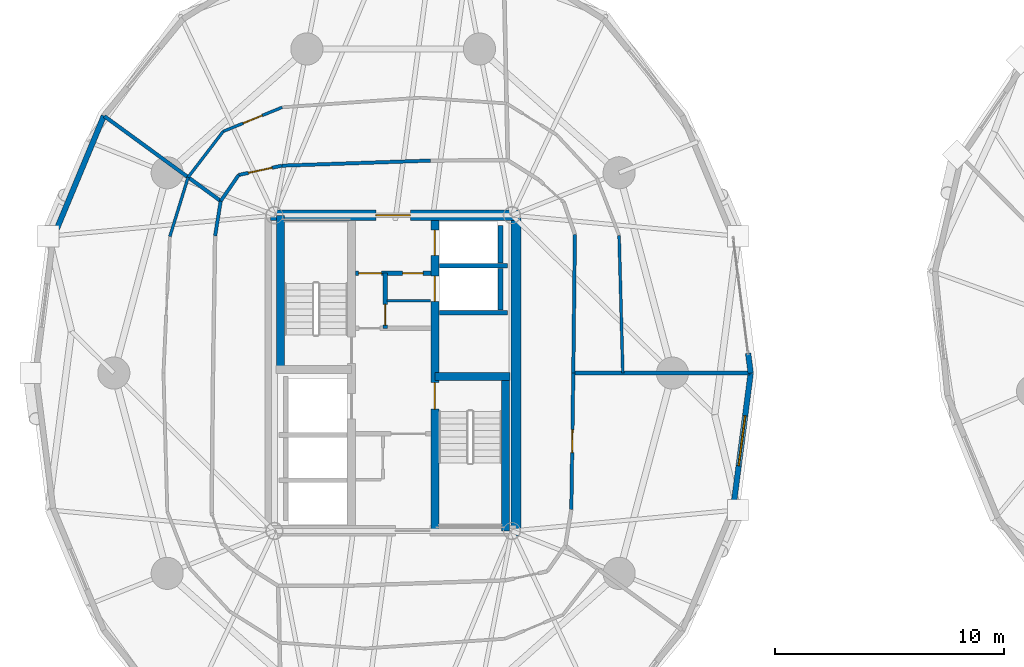
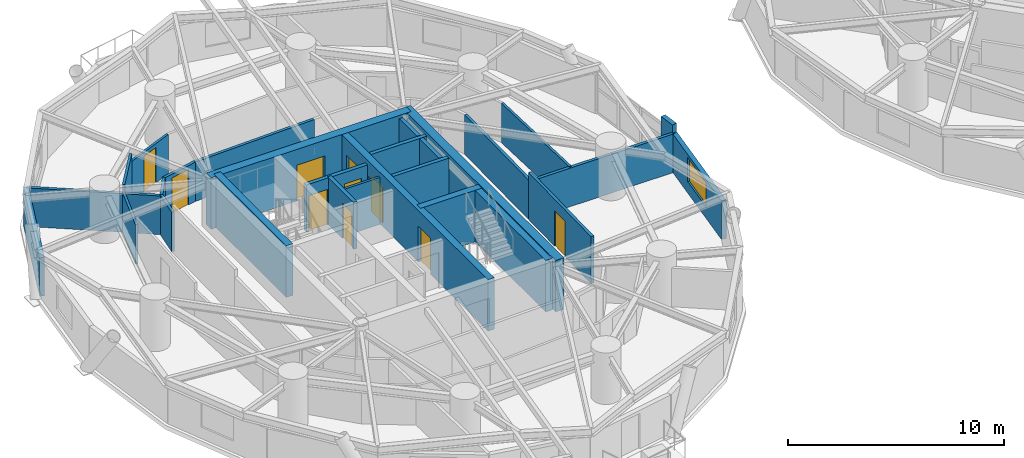
# One storey, part 11 of 18: 28 walls, 10 doors, 1 window, 11 openings.
"""IFC4 building model written with IfcOpenShell, lengths in metres."""

from ifc_helpers import new_model, si_unit, direction, frame, frame_2d, origin, place, context, subcontext, project, spatial, rectangle, extrude, source, transform, mapped, material, layer, layer_set, type_object, element, fill, save


model = new_model("IFC4")

# Units and contexts
model_context = context("Model", 3, precision=1e-05, world=origin(), true_north=direction((0.0, 1.0)))
body_context = subcontext(model_context, "Body", "Model", "MODEL_VIEW")
ifc_project = project(units=[si_unit("LENGTHUNIT", "METRE"), si_unit("AREAUNIT", "SQUARE_METRE"), si_unit("VOLUMEUNIT", "CUBIC_METRE"), si_unit("PLANEANGLEUNIT", "RADIAN"), si_unit("MASSUNIT", "GRAM", prefix="KILO")], contexts=[model_context])

# Site, building, storey
site_placement = place(None, origin())
site = spatial("IfcSite", under=ifc_project, at=site_placement, CompositionType="ELEMENT")
building_placement = place(site_placement, origin())
building = spatial("IfcBuilding", under=site, at=building_placement, Name="Cununo Teusaquillo Station Towers", CompositionType="ELEMENT")
storey_placement = place(building_placement, frame((0.0, 0.0, 93.429931640625)))
storey = spatial("IfcBuildingStorey", under=building, at=storey_placement, Name="L29", CompositionType="ELEMENT", Elevation=93.429931640625)

# Walls
ifc_material_1 = material(Name="Concrete C50/60", Category="concrete")
ifc_layer_1 = layer(ifc_material_1, 0.199951171875)
ifc_layer_set_1 = layer_set([ifc_layer_1], Name="Concrete C50/60")
wall_type_1 = type_object("IfcWallType", Name="WL-CORE-200", PredefinedType="SHEAR", material=ifc_layer_set_1)
for number, where, z_axis, x_axis, name in (
    (1, (18.510009765625, 27.1298828125, 0.0), (0.0, 0.0, 1.0), (1.0, 0.0, 0.0), "L29 Tower A Low-Rise Lift Hoistway South Shear Wall"),
    (2, (18.510009765625, 29.175048828125, 0.0), (0.0, 0.0, 1.0), (1.0, 0.0, 0.0), "L29 Tower A Low-Rise Lift Hoistway Divider Shear Wall"),
):
    element("IfcWall", number, at=place(storey_placement, frame(where, z_axis=z_axis, x_axis=x_axis)), inside=storey, type_object=wall_type_1, Name=name, PredefinedType="SHEAR", context=body_context, shape_type="SweptSolid", body=[
        extrude(rectangle(XDim=2.969970703125, YDim=0.199951171875, at=frame_2d((1.48486328125, 0.0))), origin(), (0.0, 0.0, 1.0), 2.91015625),
    ])
wall_1_placement = place(storey_placement, frame((21.179931640625, 27.25, 0.0), z_axis=(0.0, 0.0, 1.0), x_axis=(0.0, 1.0, 0.0)))
element("IfcWall", 3, at=wall_1_placement, inside=storey, type_object=wall_type_1, Name="L29 Tower A Low-Rise Lift 1 Shaft Rear Shear Wall", PredefinedType="SHEAR", context=body_context, shape_type="SweptSolid", body=[
    extrude(rectangle(XDim=1.804931640625, YDim=0.199951171875, at=frame_2d((0.90234375, 0.0))), origin(), (0.0, 0.0, 1.0), 2.91015625),
])
wall_2_placement = place(storey_placement, frame((21.179931640625, 29.294921875, 0.0), z_axis=(0.0, 0.0, 1.0), x_axis=(0.0, 1.0, 0.0)))
element("IfcWall", 4, at=wall_2_placement, inside=storey, type_object=wall_type_1, Name="L29 Tower A Low-Rise Lift 2 Shaft Rear Shear Wall", PredefinedType="SHEAR", context=body_context, shape_type="SweptSolid", body=[
    extrude(rectangle(XDim=1.635009765625, YDim=0.199951171875, at=frame_2d((0.8173828125, 0.0))), origin(), (0.0, 0.0, 1.0), 2.91015625),
])

# Wall, openings, doors
ifc_material_2 = material(Name="Concrete C50/60", Category="concrete")
ifc_layer_2 = layer(ifc_material_2, 0.35009765625)
ifc_layer_set_2 = layer_set([ifc_layer_2], Name="Concrete C50/60")
wall_type_2 = type_object("IfcWallType", Name="WL-CORE-350", PredefinedType="SHEAR", material=ifc_layer_set_2)
wall_3_placement = place(storey_placement, frame((18.31494140625, 17.625, 0.0), z_axis=(0.0, 0.0, 1.0), x_axis=(0.0, 1.0, 0.0)))
wall_3 = element("IfcWall", 5, at=wall_3_placement, inside=storey, type_object=wall_type_2, Name="L29 Tower A Core Shear Wall IE", PredefinedType="SHEAR", context=body_context, shape_type="SweptSolid", body=[
    extrude(rectangle(XDim=13.75, YDim=0.35009765625, at=frame_2d((6.875, 0.0))), origin(), (0.0, 0.0, 1.0), 2.91015625),
])
shared_shape_1 = source(origin(), body_context, "Body", "SweptSolid", [
    extrude(rectangle(XDim=1.10009765625, YDim=2.014892578125, at=frame_2d((0.550048828125, 1.00732421875))), frame((0.0, 0.18505859375, 0.0), z_axis=(0.0, -1.0, 0.0), x_axis=(1.0, 0.0, 0.0)), (0.0, 0.0, 1.0), 0.3701171875),
])
opening_1_placement = place(wall_3_placement, frame((10.0, 0.0, 0.0)))
opening_1 = element("IfcOpeningElement", 6, at=opening_1_placement, cuts=wall_3, Name="Opening LD-01", PredefinedType="OPENING", context=body_context, shape_type="MappedRepresentation", body=[
    mapped(shared_shape_1, transform((0.0, 0.0, 0.0), x_axis=(1.0, 0.0, 0.0), y_axis=(0.0, 1.0, 0.0), z_axis=(0.0, 0.0, 1.0), scale=1.0)),
])
opening_2_placement = place(wall_3_placement, frame((12.0, 0.0, 0.0)))
opening_2 = element("IfcOpeningElement", 7, at=opening_2_placement, cuts=wall_3, Name="Opening LD-01", PredefinedType="OPENING", context=body_context, shape_type="MappedRepresentation", body=[
    mapped(shared_shape_1, transform((0.0, 0.0, 0.0), x_axis=(1.0, 0.0, 0.0), y_axis=(0.0, 1.0, 0.0), z_axis=(0.0, 0.0, 1.0), scale=1.0)),
])
shared_shape_2 = source(origin(), body_context, "Body", "SweptSolid", [
    extrude(rectangle(XDim=1.14990234375, YDim=2.02001953125, at=frame_2d((0.574951171875, 1.010009765625))), frame((0.0, 0.18505859375, 0.0), z_axis=(0.0, -1.0, 0.0), x_axis=(1.0, 0.0, 0.0)), (0.0, 0.0, 1.0), 0.3701171875),
])
opening_3_placement = place(wall_3_placement, frame((5.304931640625, 0.0, 0.0)))
opening_3 = element("IfcOpeningElement", 8, at=opening_3_placement, cuts=wall_3, Name="Opening D-ST1", PredefinedType="OPENING", context=body_context, shape_type="MappedRepresentation", body=[
    mapped(shared_shape_2, transform((0.0, 0.0, 0.0), x_axis=(1.0, 0.0, 0.0), y_axis=(0.0, 1.0, 0.0), z_axis=(0.0, 0.0, 1.0), scale=1.0)),
])
ifc_material_3 = material(Name="Galvanised fire-rated hollow steel door assembly", Category="steel")
door_type_1 = type_object("IfcDoorType", Name="DR-LIFT-1100", OperationType="SLIDING_TO_LEFT", PredefinedType="DOOR", material=ifc_material_3)
shared_shape_3 = source(origin(), body_context, "Body", "SweptSolid", [
    extrude(rectangle(XDim=1.10009765625, YDim=2.014892578125, at=frame_2d((0.550048828125, 1.00732421875))), frame((0.0, 0.02490234375, 0.0), z_axis=(0.0, -1.0, 0.0), x_axis=(1.0, 0.0, 0.0)), (0.0, 0.0, 1.0), 0.050048828125),
])
door_1_placement = place(opening_1_placement, origin())
door_1 = element("IfcDoor", 9, at=door_1_placement, inside=storey, type_object=door_type_1, Name="L29 Lift PL-T1-L1 Sliding Landing Door", OperationType="SLIDING_TO_RIGHT", OverallHeight=2.014892578125, OverallWidth=1.10009765625, PredefinedType="DOOR", context=body_context, shape_type="MappedRepresentation", body=[
    mapped(shared_shape_3, transform((0.0, 0.0, 0.0), x_axis=(1.0, 0.0, 0.0), y_axis=(0.0, 1.0, 0.0), z_axis=(0.0, 0.0, 1.0), scale=1.0)),
])
fill(opening_1, door_1)
door_2_placement = place(opening_2_placement, origin())
door_2 = element("IfcDoor", 10, at=door_2_placement, inside=storey, type_object=door_type_1, Name="L29 Lift PL-T1-L2 Sliding Landing Door", OperationType="SLIDING_TO_LEFT", OverallHeight=2.014892578125, OverallWidth=1.10009765625, PredefinedType="DOOR", context=body_context, shape_type="MappedRepresentation", body=[
    mapped(shared_shape_3, transform((0.0, 0.0, 0.0), x_axis=(1.0, 0.0, 0.0), y_axis=(0.0, 1.0, 0.0), z_axis=(0.0, 0.0, 1.0), scale=1.0)),
])
fill(opening_2, door_2)
ifc_material_4 = material(Name="Galvanised fire-rated hollow steel door assembly", Category="steel")
door_type_2 = type_object("IfcDoorType", Name="DR-STAIR-1150", OperationType="NOTDEFINED", PredefinedType="DOOR", material=ifc_material_4)
shared_shape_4 = source(origin(), body_context, "Body", "SweptSolid", [
    extrude(rectangle(XDim=1.14990234375, YDim=2.02001953125, at=frame_2d((0.574951171875, 1.010009765625))), frame((0.0, 0.02490234375, 0.0), z_axis=(0.0, -1.0, 0.0), x_axis=(1.0, 0.0, 0.0)), (0.0, 0.0, 1.0), 0.050048828125),
])
door_3_placement = place(opening_3_placement, origin())
door_3 = element("IfcDoor", 11, at=door_3_placement, inside=storey, type_object=door_type_2, Name="L29 Tower A Exit Stair 2 Fire Door", OperationType="SINGLE_SWING_RIGHT", OverallHeight=2.02001953125, OverallWidth=1.14990234375, PredefinedType="DOOR", context=body_context, shape_type="MappedRepresentation", body=[
    mapped(shared_shape_4, transform((0.0, 0.0, 0.0), x_axis=(1.0, 0.0, 0.0), y_axis=(0.0, 1.0, 0.0), z_axis=(0.0, 0.0, 1.0), scale=1.0)),
])
fill(opening_3, door_3)

# Walls
for number, where, z_axis, x_axis, name in (
    (12, (11.594970703125, 24.655029296875, 0.0), (0.0, 0.0, 1.0), (0.0, 1.0, 0.0), "L29 Tower A Core Shear Wall ST1W"),
    (13, (21.405029296875, 17.625, 0.0), (0.0, 0.0, 1.0), (0.0, 1.0, 0.0), "L29 Tower A Core Shear Wall ST2E"),
):
    element("IfcWall", number, at=place(storey_placement, frame(where, z_axis=z_axis, x_axis=x_axis)), inside=storey, type_object=wall_type_2, Name=name, PredefinedType="SHEAR", context=body_context, shape_type="SweptSolid", body=[
        extrude(rectangle(XDim=6.719970703125, YDim=0.35009765625, at=frame_2d((3.35986328125, 0.0))), origin(), (0.0, 0.0, 1.0), 2.91015625),
    ])
wall_4_placement = place(storey_placement, frame((18.31494140625, 24.344970703125, 0.0), z_axis=(0.0, 0.0, 1.0), x_axis=(1.0, 0.0, 0.0)))
element("IfcWall", 14, at=wall_4_placement, inside=storey, type_object=wall_type_2, Name="L29 Tower A Core Shear Wall ST2N", PredefinedType="SHEAR", context=body_context, shape_type="SweptSolid", body=[
    extrude(rectangle(XDim=3.28515625, YDim=0.35009765625, at=frame_2d((1.642578125, 0.0))), origin(), (0.0, 0.0, 1.0), 2.91015625),
])
ifc_material_5 = material(Name="Concrete C60/75", Category="concrete")
ifc_layer_3 = layer(ifc_material_5, 0.449951171875)
ifc_layer_set_3 = layer_set([ifc_layer_3], Name="Concrete C60/75")
wall_type_3 = type_object("IfcWallType", Name="WL-CORE-450", PredefinedType="SHEAR", material=ifc_layer_set_3)
wall_5_placement = place(storey_placement, frame((21.85009765625, 17.39990234375, 0.0), z_axis=(0.0, 0.0, 1.0), x_axis=(0.0, 1.0, 0.0)))
element("IfcWall", 15, at=wall_5_placement, inside=storey, type_object=wall_type_3, Name="L29 Tower A Core Shear Wall E", PredefinedType="SHEAR", context=body_context, shape_type="SweptSolid", body=[
    extrude(rectangle(XDim=14.2001953125, YDim=0.449951171875, at=frame_2d((7.10009765625, 0.0))), origin(), (0.0, 0.0, 1.0), 2.91015625),
])

# Wall, opening, door
wall_6_placement = place(storey_placement, frame((11.14990234375, 31.375, 0.0), z_axis=(0.0, 0.0, 1.0), x_axis=(1.0, 0.0, 0.0)))
wall_6 = element("IfcWall", 16, at=wall_6_placement, inside=storey, type_object=wall_type_3, Name="L29 Tower A Core Shear Wall N", PredefinedType="SHEAR", context=body_context, shape_type="SweptSolid", body=[
    extrude(rectangle(XDim=10.7001953125, YDim=0.449951171875, at=frame_2d((5.35009765625, 0.0))), origin(), (0.0, 0.0, 1.0), 2.91015625),
])
shared_shape_5 = source(origin(), body_context, "Body", "SweptSolid", [
    extrude(rectangle(XDim=1.5, YDim=2.02001953125, at=frame_2d((0.75, 1.010009765625))), frame((0.0, 0.23486328125, 0.0), z_axis=(0.0, -1.0, 0.0), x_axis=(1.0, 0.0, 0.0)), (0.0, 0.0, 1.0), 0.469970703125),
])
opening_4_placement = place(wall_6_placement, frame((4.60009765625, 0.0, 0.0)))
opening_4 = element("IfcOpeningElement", 17, at=opening_4_placement, cuts=wall_6, Name="Opening D-LB1", PredefinedType="OPENING", context=body_context, shape_type="MappedRepresentation", body=[
    mapped(shared_shape_5, transform((0.0, 0.0, 0.0), x_axis=(1.0, 0.0, 0.0), y_axis=(0.0, 1.0, 0.0), z_axis=(0.0, 0.0, 1.0), scale=1.0)),
])
ifc_material_6 = material(Name="Galvanised fire-rated hollow steel door assembly", Category="steel")
door_type_3 = type_object("IfcDoorType", Name="DR-LOBBY-1500", OperationType="DOUBLE_DOOR_SINGLE_SWING", PredefinedType="DOOR", material=ifc_material_6)
shared_shape_6 = source(origin(), body_context, "Body", "SweptSolid", [
    extrude(rectangle(XDim=1.5, YDim=2.02001953125, at=frame_2d((0.75, 1.010009765625))), frame((0.0, 0.02490234375, 0.0), z_axis=(0.0, -1.0, 0.0), x_axis=(1.0, 0.0, 0.0)), (0.0, 0.0, 1.0), 0.050048828125),
])
door_4_placement = place(opening_4_placement, origin())
door_4 = element("IfcDoor", 18, at=door_4_placement, inside=storey, type_object=door_type_3, Name="L29 Tower A North Core Lift Lobby Door", OperationType="DOUBLE_DOOR_SINGLE_SWING", OverallHeight=2.02001953125, OverallWidth=1.5, PredefinedType="DOOR", context=body_context, shape_type="MappedRepresentation", body=[
    mapped(shared_shape_6, transform((0.0, 0.0, 0.0), x_axis=(1.0, 0.0, 0.0), y_axis=(0.0, 1.0, 0.0), z_axis=(0.0, 0.0, 1.0), scale=1.0)),
])
fill(opening_4, door_4)

# Walls
ifc_material_7 = material(Name="Precast concrete C40/50", Category="concrete")
ifc_layer_4 = layer(ifc_material_7, 0.239990234375)
ifc_layer_set_4 = layer_set([ifc_layer_4], Name="Precast concrete C40/50")
wall_type_4 = type_object("IfcWallType", Name="WL-EXT-240", PredefinedType="SOLIDWALL", material=ifc_layer_set_4)
wall_7_placement = place(storey_placement, frame((31.96923828125, 25.36279296875, 0.0), z_axis=(0.0, 0.0, 1.0), x_axis=(0.128523364007, -0.991706481225, 0.0)))
element("IfcWall", 19, at=wall_7_placement, inside=storey, type_object=wall_type_4, Name="L29 Tower A Column Pier Cladding Wall C00-PB", PredefinedType="SOLIDWALL", context=body_context, shape_type="SweptSolid", body=[
    extrude(rectangle(XDim=0.8701171875, YDim=0.239990234375, at=frame_2d((0.43505859375, 0.0))), origin(), (0.0, 0.0, 1.0), 2.655029296875),
])
wall_8_placement = place(storey_placement, frame((1.681640625, 30.39306640625, 0.0), z_axis=(0.0, 0.0, 1.0), x_axis=(0.384344417632, 0.923189779317, 0.0)))
element("IfcWall", 20, at=wall_8_placement, inside=storey, type_object=wall_type_4, Name="L29 Tower A Exterior Facade Wall C08", PredefinedType="SOLIDWALL", context=body_context, shape_type="SweptSolid", body=[
    extrude(rectangle(XDim=5.75830078125, YDim=0.239990234375, at=frame_2d((2.879150390625, 0.0))), origin(), (0.0, 0.0, 1.0), 2.178955078125),
])

# Wall, opening, window
wall_9_placement = place(storey_placement, frame((32.0810546875, 24.5, 0.0), z_axis=(0.0, 0.0, 1.0), x_axis=(-0.128351991996, -0.991728675672, 0.0)))
wall_9 = element("IfcWall", 21, at=wall_9_placement, inside=storey, type_object=wall_type_4, Name="L29 Tower A Exterior Facade Wall C19", PredefinedType="SOLIDWALL", context=body_context, shape_type="SweptSolid", body=[
    extrude(rectangle(XDim=5.942138671875, YDim=0.239990234375, at=frame_2d((2.97119140625, 0.0))), origin(), (0.0, 0.0, 1.0), 2.178955078125),
])
shared_shape_7 = source(origin(), body_context, "Body", "SweptSolid", [
    extrude(rectangle(XDim=2.199951171875, YDim=1.35009765625, at=frame_2d((1.10009765625, 0.675048828125))), frame((0.0, 0.1298828125, 0.0), z_axis=(0.0, -1.0, 0.0), x_axis=(1.0, 0.0, 0.0)), (0.0, 0.0, 1.0), 0.260009765625),
])
opening_5_placement = place(wall_9_placement, frame((1.87109375, 0.0, 0.64990234375)))
opening_5 = element("IfcOpeningElement", 22, at=opening_5_placement, cuts=wall_9, Name="Opening WN-01", PredefinedType="OPENING", context=body_context, shape_type="MappedRepresentation", body=[
    mapped(shared_shape_7, transform((0.0, 0.0, 0.0), x_axis=(1.0, 0.0, 0.0), y_axis=(0.0, 1.0, 0.0), z_axis=(0.0, 0.0, 1.0), scale=1.0)),
])
ifc_material_8 = material(Name="Ceramic-fritted dark low-E double glazing", Category="glass")
window_type = type_object("IfcWindowType", Name="WIN-FRIT-2200", PartitioningType="DOUBLE_PANEL_VERTICAL", PredefinedType="WINDOW", material=ifc_material_8)
shared_shape_8 = source(origin(), body_context, "Body", "SweptSolid", [
    extrude(rectangle(XDim=2.199951171875, YDim=1.35009765625, at=frame_2d((1.10009765625, 0.675048828125))), frame((0.0, 0.030029296875, 0.0), z_axis=(0.0, -1.0, 0.0), x_axis=(1.0, 0.0, 0.0)), (0.0, 0.0, 1.0), 0.06005859375),
])
window_placement = place(opening_5_placement, origin())
window = element("IfcWindow", 23, at=window_placement, inside=storey, type_object=window_type, Name="L29 Tower A Facade Window C19", OverallHeight=1.35009765625, OverallWidth=2.199951171875, PartitioningType="DOUBLE_PANEL_VERTICAL", PredefinedType="WINDOW", context=body_context, shape_type="MappedRepresentation", body=[
    mapped(shared_shape_8, transform((0.0, 0.0, 0.0), x_axis=(1.0, 0.0, 0.0), y_axis=(0.0, 1.0, 0.0), z_axis=(0.0, 0.0, 1.0), scale=1.0)),
])
fill(opening_5, window)

# Walls
ifc_material_9 = material(Name="Fire-rated gypsum plasterboard partition assembly", Category="gypsum")
ifc_layer_5 = layer(ifc_material_9, 0.125)
ifc_layer_set_5 = layer_set([ifc_layer_5], Name="Fire-rated gypsum plasterboard partition assembly")
wall_type_5 = type_object("IfcWallType", Name="WL-PART-125", PredefinedType="PARTITIONING", material=ifc_layer_set_5)
wall_10_placement = place(storey_placement, frame((16.239990234375, 27.64990234375, 0.0), z_axis=(0.0, 0.0, 1.0), x_axis=(1.0, 0.0, 0.0)))
element("IfcWall", 24, at=wall_10_placement, inside=storey, type_object=wall_type_5, Name="L29 Tower A Core Horizontal Split Wall", PredefinedType="PARTITIONING", context=body_context, shape_type="SweptSolid", body=[
    extrude(rectangle(XDim=1.880126953125, YDim=0.125, at=frame_2d((0.93994140625, 0.0))), origin(), (0.0, 0.0, 1.0), 2.655029296875),
])
wall_11_placement = place(storey_placement, frame((26.509033203125, 24.5, 0.0), z_axis=(0.0, 0.0, 1.0), x_axis=(-0.027112670792, 0.99963238397, 0.0)))
element("IfcWall", 25, at=wall_11_placement, inside=storey, type_object=wall_type_5, Name="L29 Tower A Digital Engineering Open Workplace Concentric Partition Wall C00", PredefinedType="PARTITIONING", context=body_context, shape_type="SweptSolid", body=[
    extrude(rectangle(XDim=6.006103515625, YDim=0.125, at=frame_2d((3.0029296875, 0.0))), origin(), (0.0, 0.0, 1.0), 2.22509765625),
])

# Wall, opening, door
wall_12_placement = place(storey_placement, frame((11.661865234375, 36.080810546875, 0.0), z_axis=(0.0, 0.0, 1.0), x_axis=(-0.925664670378, -0.378344972234, 0.0)))
wall_12 = element("IfcWall", 26, at=wall_12_placement, inside=storey, type_object=wall_type_5, Name="L29 Tower A Parametric Prototyping Lab Concentric Partition Wall C06", PredefinedType="PARTITIONING", context=body_context, shape_type="SweptSolid", body=[
    extrude(rectangle(XDim=2.774169921875, YDim=0.125, at=frame_2d((1.38720703125, 0.0))), origin(), (0.0, 0.0, 1.0), 2.22509765625),
])
shared_shape_9 = source(origin(), body_context, "Body", "SweptSolid", [
    extrude(rectangle(XDim=0.89990234375, YDim=2.0048828125, at=frame_2d((0.449951171875, 1.00244140625))), frame((0.0, 0.072509765625, 0.0), z_axis=(0.0, -1.0, 0.0), x_axis=(1.0, 0.0, 0.0)), (0.0, 0.0, 1.0), 0.14501953125),
])
opening_6_placement = place(wall_12_placement, frame((0.93701171875, 0.0, 0.0)))
opening_6 = element("IfcOpeningElement", 27, at=opening_6_placement, cuts=wall_12, Name="Opening D-IN1", PredefinedType="OPENING", context=body_context, shape_type="MappedRepresentation", body=[
    mapped(shared_shape_9, transform((0.0, 0.0, 0.0), x_axis=(1.0, 0.0, 0.0), y_axis=(0.0, 1.0, 0.0), z_axis=(0.0, 0.0, 1.0), scale=1.0)),
])
ifc_material_10 = material(Name="Acoustic solid-core hardwood leaf assembly", Category="wood")
door_type_4 = type_object("IfcDoorType", Name="DR-INT-900", OperationType="NOTDEFINED", PredefinedType="DOOR", material=ifc_material_10)
shared_shape_10 = source(origin(), body_context, "Body", "SweptSolid", [
    extrude(rectangle(XDim=0.89990234375, YDim=2.0048828125, at=frame_2d((0.449951171875, 1.00244140625))), frame((0.0, 0.02490234375, 0.0), z_axis=(0.0, -1.0, 0.0), x_axis=(1.0, 0.0, 0.0)), (0.0, 0.0, 1.0), 0.050048828125),
])
door_5_placement = place(opening_6_placement, origin())
door_5 = element("IfcDoor", 28, at=door_5_placement, inside=storey, type_object=door_type_4, Name="L29 Tower A Parametric Prototyping Lab Connecting Door", OperationType="SINGLE_SWING_LEFT", OverallHeight=2.0048828125, OverallWidth=0.89990234375, PredefinedType="DOOR", context=body_context, shape_type="MappedRepresentation", body=[
    mapped(shared_shape_10, transform((0.0, 0.0, 0.0), x_axis=(1.0, 0.0, 0.0), y_axis=(0.0, 1.0, 0.0), z_axis=(0.0, 0.0, 1.0), scale=1.0)),
])
fill(opening_6, door_5)

# Walls
wall_13_placement = place(storey_placement, frame((9.093994140625, 35.03125, 0.0), z_axis=(0.0, 0.0, 1.0), x_axis=(-0.607813927368, -0.794079485755, 0.0)))
element("IfcWall", 29, at=wall_13_placement, inside=storey, type_object=wall_type_5, Name="L29 Tower A Parametric Prototyping Lab Concentric Partition Wall C07", PredefinedType="PARTITIONING", context=body_context, shape_type="SweptSolid", body=[
    extrude(rectangle(XDim=2.51513671875, YDim=0.125, at=frame_2d((1.257568359375, 0.0))), origin(), (0.0, 0.0, 1.0), 2.655029296875),
])
wall_14_placement = place(storey_placement, frame((7.565185546875, 33.033935546875, 0.0), z_axis=(0.0, 0.0, 1.0), x_axis=(-0.294365365095, -0.955692958974, 0.0)))
element("IfcWall", 30, at=wall_14_placement, inside=storey, type_object=wall_type_5, Name="L29 Tower A Client Demo Briefing Gallery Concentric Partition Wall C08", PredefinedType="PARTITIONING", context=body_context, shape_type="SweptSolid", body=[
    extrude(rectangle(XDim=2.700439453125, YDim=0.125, at=frame_2d((1.35009765625, 0.0))), origin(), (0.0, 0.0, 1.0), 2.22509765625),
])
ifc_material_11 = material(Name="Fire-rated gypsum plasterboard partition assembly", Category="gypsum")
ifc_layer_6 = layer(ifc_material_11, 0.14990234375)
ifc_layer_set_6 = layer_set([ifc_layer_6], Name="Fire-rated gypsum plasterboard partition assembly")
wall_type_6 = type_object("IfcWallType", Name="WL-PART-150", PredefinedType="PARTITIONING", material=ifc_layer_set_6)
wall_15_placement = place(storey_placement, frame((24.35009765625, 24.5, 0.0), z_axis=(0.0, 0.0, 1.0), x_axis=(0.011582078845, 0.999932925475, 0.0)))
element("IfcWall", 31, at=wall_15_placement, inside=storey, type_object=wall_type_6, Name="L29 Tower A Corridor Ring Wall C00", PredefinedType="PARTITIONING", context=body_context, shape_type="SweptSolid", body=[
    extrude(rectangle(XDim=6.0498046875, YDim=0.14990234375, at=frame_2d((3.02490234375, 0.0))), origin(), (0.0, 0.0, 1.0), 2.22509765625),
])
wall_16_placement = place(storey_placement, frame((18.1328125, 33.759521484375, 0.0), z_axis=(0.0, 0.0, 1.0), x_axis=(-0.999419643988, -0.034064280574, 0.0)))
element("IfcWall", 32, at=wall_16_placement, inside=storey, type_object=wall_type_6, Name="L29 Tower A Corridor Ring Wall C05", PredefinedType="PARTITIONING", context=body_context, shape_type="SweptSolid", body=[
    extrude(rectangle(XDim=6.486083984375, YDim=0.14990234375, at=frame_2d((3.2431640625, 0.0))), origin(), (0.0, 0.0, 1.0), 2.22509765625),
])

# Wall, opening, door
wall_17_placement = place(storey_placement, frame((11.650390625, 33.53857421875, 0.0), z_axis=(0.0, 0.0, 1.0), x_axis=(-0.977535921581, -0.210768882949, 0.0)))
wall_17 = element("IfcWall", 33, at=wall_17_placement, inside=storey, type_object=wall_type_6, Name="L29 Tower A Corridor Ring Wall C06", PredefinedType="PARTITIONING", context=body_context, shape_type="SweptSolid", body=[
    extrude(rectangle(XDim=1.9228515625, YDim=0.14990234375, at=frame_2d((0.96142578125, 0.0))), origin(), (0.0, 0.0, 1.0), 2.22509765625),
])
shared_shape_11 = source(origin(), body_context, "Body", "SweptSolid", [
    extrude(rectangle(XDim=1.050048828125, YDim=2.014892578125, at=frame_2d((0.52490234375, 1.00732421875))), frame((0.0, 0.0849609375, 0.0), z_axis=(0.0, -1.0, 0.0), x_axis=(1.0, 0.0, 0.0)), (0.0, 0.0, 1.0), 0.169921875),
])
opening_7_placement = place(wall_17_placement, frame((0.436279296875, 0.0, 0.0)))
opening_7 = element("IfcOpeningElement", 34, at=opening_7_placement, cuts=wall_17, Name="Opening D-SU1", PredefinedType="OPENING", context=body_context, shape_type="MappedRepresentation", body=[
    mapped(shared_shape_11, transform((0.0, 0.0, 0.0), x_axis=(1.0, 0.0, 0.0), y_axis=(0.0, 1.0, 0.0), z_axis=(0.0, 0.0, 1.0), scale=1.0)),
])
ifc_material_12 = material(Name="Acoustic solid-core hardwood leaf assembly", Category="wood")
door_type_5 = type_object("IfcDoorType", Name="DR-SUITE-1050", OperationType="NOTDEFINED", PredefinedType="DOOR", material=ifc_material_12)
shared_shape_12 = source(origin(), body_context, "Body", "SweptSolid", [
    extrude(rectangle(XDim=1.050048828125, YDim=2.014892578125, at=frame_2d((0.52490234375, 1.00732421875))), frame((0.0, 0.02490234375, 0.0), z_axis=(0.0, -1.0, 0.0), x_axis=(1.0, 0.0, 0.0)), (0.0, 0.0, 1.0), 0.050048828125),
])
door_6_placement = place(opening_7_placement, origin())
door_6 = element("IfcDoor", 35, at=door_6_placement, inside=storey, type_object=door_type_5, Name="L29 Tower A Parametric Prototyping Lab Entrance Door", OperationType="SINGLE_SWING_RIGHT", OverallHeight=2.014892578125, OverallWidth=1.050048828125, PredefinedType="DOOR", context=body_context, shape_type="MappedRepresentation", body=[
    mapped(shared_shape_12, transform((0.0, 0.0, 0.0), x_axis=(1.0, 0.0, 0.0), y_axis=(0.0, 1.0, 0.0), z_axis=(0.0, 0.0, 1.0), scale=1.0)),
])
fill(opening_7, door_6)

# Walls
wall_18_placement = place(storey_placement, frame((9.770751953125, 33.13330078125, 0.0), z_axis=(0.0, 0.0, 1.0), x_axis=(-0.568464531016, -0.822707771312, 0.0)))
element("IfcWall", 36, at=wall_18_placement, inside=storey, type_object=wall_type_6, Name="L29 Tower A Corridor Ring Wall C07", PredefinedType="PARTITIONING", context=body_context, shape_type="SweptSolid", body=[
    extrude(rectangle(XDim=1.3798828125, YDim=0.14990234375, at=frame_2d((0.68994140625, 0.0))), origin(), (0.0, 0.0, 1.0), 2.22509765625),
])
wall_19_placement = place(storey_placement, frame((8.986328125, 31.998046875, 0.0), z_axis=(0.0, 0.0, 1.0), x_axis=(-0.158992972351, -0.98727971454, 0.0)))
element("IfcWall", 37, at=wall_19_placement, inside=storey, type_object=wall_type_6, Name="L29 Tower A Corridor Ring Wall C08", PredefinedType="PARTITIONING", context=body_context, shape_type="SweptSolid", body=[
    extrude(rectangle(XDim=1.53857421875, YDim=0.14990234375, at=frame_2d((0.769287109375, 0.0))), origin(), (0.0, 0.0, 1.0), 2.22509765625),
])

# Wall, opening, door
wall_20_placement = place(storey_placement, frame((24.264404296875, 18.56103515625, 0.0), z_axis=(0.0, 0.0, 1.0), x_axis=(0.014427504204, 0.999895918145, 0.0)))
wall_20 = element("IfcWall", 38, at=wall_20_placement, inside=storey, type_object=wall_type_6, Name="L29 Tower A Corridor Ring Wall C19", PredefinedType="PARTITIONING", context=body_context, shape_type="SweptSolid", body=[
    extrude(rectangle(XDim=5.939697265625, YDim=0.14990234375, at=frame_2d((2.9697265625, 0.0))), origin(), (0.0, 0.0, 1.0), 2.655029296875),
])
shared_shape_13 = source(origin(), body_context, "Body", "SweptSolid", [
    extrude(rectangle(XDim=1.0, YDim=2.014892578125, at=frame_2d((0.5, 1.00732421875))), frame((0.0, 0.0849609375, 0.0), z_axis=(0.0, -1.0, 0.0), x_axis=(1.0, 0.0, 0.0)), (0.0, 0.0, 1.0), 0.169921875),
])
opening_8_placement = place(wall_20_placement, frame((2.4697265625, 0.0, 0.0)))
opening_8 = element("IfcOpeningElement", 39, at=opening_8_placement, cuts=wall_20, Name="Opening D-AC1", PredefinedType="OPENING", context=body_context, shape_type="MappedRepresentation", body=[
    mapped(shared_shape_13, transform((0.0, 0.0, 0.0), x_axis=(1.0, 0.0, 0.0), y_axis=(0.0, 1.0, 0.0), z_axis=(0.0, 0.0, 1.0), scale=1.0)),
])
ifc_material_13 = material(Name="Acoustic solid-core hardwood leaf assembly", Category="wood")
door_type_6 = type_object("IfcDoorType", Name="DR-ACC-1000", OperationType="NOTDEFINED", PredefinedType="DOOR", material=ifc_material_13)
shared_shape_14 = source(origin(), body_context, "Body", "SweptSolid", [
    extrude(rectangle(XDim=1.0, YDim=2.014892578125, at=frame_2d((0.5, 1.00732421875))), frame((0.0, 0.02490234375, 0.0), z_axis=(0.0, -1.0, 0.0), x_axis=(1.0, 0.0, 0.0)), (0.0, 0.0, 1.0), 0.050048828125),
])
door_7_placement = place(opening_8_placement, origin())
door_7 = element("IfcDoor", 40, at=door_7_placement, inside=storey, type_object=door_type_6, Name="L29 Tower A Public Accessible Restroom WC Entrance Door", OperationType="SINGLE_SWING_RIGHT", OverallHeight=2.014892578125, OverallWidth=1.0, PredefinedType="DOOR", context=body_context, shape_type="MappedRepresentation", body=[
    mapped(shared_shape_14, transform((0.0, 0.0, 0.0), x_axis=(1.0, 0.0, 0.0), y_axis=(0.0, 1.0, 0.0), z_axis=(0.0, 0.0, 1.0), scale=1.0)),
])
fill(opening_8, door_7)

# Walls
ifc_material_14 = material(Name="Fire-rated gypsum plasterboard partition assembly", Category="gypsum")
ifc_layer_7 = layer(ifc_material_14, 0.159912109375)
ifc_layer_set_7 = layer_set([ifc_layer_7], Name="Fire-rated gypsum plasterboard partition assembly")
wall_type_7 = type_object("IfcWallType", Name="WL-PART-160", PredefinedType="PARTITIONING", material=ifc_layer_set_7)
wall_21_placement = place(storey_placement, frame((24.35009765625, 24.5, 0.0), z_axis=(0.0, 0.0, 1.0), x_axis=(1.0, 0.0, 0.0)))
element("IfcWall", 41, at=wall_21_placement, inside=storey, type_object=wall_type_7, Name="L29 Tower A Radial Suite Partition R01", PredefinedType="PARTITIONING", context=body_context, shape_type="SweptSolid", body=[
    extrude(rectangle(XDim=7.7109375, YDim=0.159912109375, at=frame_2d((3.85546875, 0.0))), origin(), (0.0, 0.0, 1.0), 2.178955078125),
])
wall_22_placement = place(storey_placement, frame((8.986328125, 31.998046875, 0.0), z_axis=(0.0, 0.0, 1.0), x_axis=(-0.808130498411, 0.589003478375, 0.0)))
element("IfcWall", 42, at=wall_22_placement, inside=storey, type_object=wall_type_7, Name="L29 Tower A Radial Suite Partition R03", PredefinedType="PARTITIONING", context=body_context, shape_type="SweptSolid", body=[
    extrude(rectangle(XDim=6.280517578125, YDim=0.159912109375, at=frame_2d((3.14013671875, 0.0))), origin(), (0.0, 0.0, 1.0), 2.178955078125),
])

# Wall, opening, door
ifc_material_15 = material(Name="Fire-rated gypsum plasterboard partition assembly", Category="gypsum")
ifc_layer_8 = layer(ifc_material_15, 0.199951171875)
ifc_layer_set_8 = layer_set([ifc_layer_8], Name="Fire-rated gypsum plasterboard partition assembly")
wall_type_8 = type_object("IfcWallType", Name="WL-PART-200", PredefinedType="PARTITIONING", material=ifc_layer_set_8)
wall_23_placement = place(storey_placement, frame((16.14990234375, 26.449951171875, 0.0), z_axis=(0.0, 0.0, 1.0), x_axis=(0.0, 1.0, 0.0)))
wall_23 = element("IfcWall", 43, at=wall_23_placement, inside=storey, type_object=wall_type_8, Name="L29 Tower A Stair 1 Vestibule Partition Wall", PredefinedType="PARTITIONING", context=body_context, shape_type="SweptSolid", body=[
    extrude(rectangle(XDim=2.400146484375, YDim=0.199951171875, at=frame_2d((1.2001953125, 0.0))), origin(), (0.0, 0.0, 1.0), 2.655029296875),
])
shared_shape_15 = source(origin(), body_context, "Body", "SweptSolid", [
    extrude(rectangle(XDim=0.89990234375, YDim=2.0048828125, at=frame_2d((0.449951171875, 1.00244140625))), frame((0.0, 0.10986328125, 0.0), z_axis=(0.0, -1.0, 0.0), x_axis=(1.0, 0.0, 0.0)), (0.0, 0.0, 1.0), 0.219970703125),
])
opening_9_placement = place(wall_23_placement, frame((0.139892578125, 0.0, 0.0)))
opening_9 = element("IfcOpeningElement", 44, at=opening_9_placement, cuts=wall_23, Name="Opening D-SR1", PredefinedType="OPENING", context=body_context, shape_type="MappedRepresentation", body=[
    mapped(shared_shape_15, transform((0.0, 0.0, 0.0), x_axis=(1.0, 0.0, 0.0), y_axis=(0.0, 1.0, 0.0), z_axis=(0.0, 0.0, 1.0), scale=1.0)),
])
ifc_material_16 = material(Name="Galvanised fire-rated hollow steel door assembly", Category="steel")
door_type_7 = type_object("IfcDoorType", Name="DR-STORE-900", OperationType="NOTDEFINED", PredefinedType="DOOR", material=ifc_material_16)
door_8_placement = place(opening_9_placement, origin())
door_8 = element("IfcDoor", 45, at=door_8_placement, inside=storey, type_object=door_type_7, Name="L29 Tower A Core Linen Store Door", OperationType="SINGLE_SWING_RIGHT", OverallHeight=2.0048828125, OverallWidth=0.89990234375, PredefinedType="DOOR", context=body_context, shape_type="MappedRepresentation", body=[
    mapped(shared_shape_10, transform((0.0, 0.0, 0.0), x_axis=(1.0, 0.0, 0.0), y_axis=(0.0, 1.0, 0.0), z_axis=(0.0, 0.0, 1.0), scale=1.0)),
])
fill(opening_9, door_8)

# Wall, openings, doors
wall_24_placement = place(storey_placement, frame((14.860107421875, 28.85009765625, 0.0), z_axis=(0.0, 0.0, 1.0), x_axis=(1.0, 0.0, 0.0)))
wall_24 = element("IfcWall", 46, at=wall_24_placement, inside=storey, type_object=wall_type_8, Name="L29 Tower A North Lift Lobby South Fire Wall", PredefinedType="PARTITIONING", context=body_context, shape_type="SweptSolid", body=[
    extrude(rectangle(XDim=3.27978515625, YDim=0.199951171875, at=frame_2d((1.639892578125, 0.0))), origin(), (0.0, 0.0, 1.0), 2.655029296875),
])
shared_shape_16 = source(origin(), body_context, "Body", "SweptSolid", [
    extrude(rectangle(XDim=1.0, YDim=2.014892578125, at=frame_2d((0.5, 1.00732421875))), frame((0.0, 0.10986328125, 0.0), z_axis=(0.0, -1.0, 0.0), x_axis=(1.0, 0.0, 0.0)), (0.0, 0.0, 1.0), 0.219970703125),
])
opening_10_placement = place(wall_24_placement, frame((0.139892578125, 0.0, 0.0)))
opening_10 = element("IfcOpeningElement", 47, at=opening_10_placement, cuts=wall_24, Name="Opening D-AC1", PredefinedType="OPENING", context=body_context, shape_type="MappedRepresentation", body=[
    mapped(shared_shape_16, transform((0.0, 0.0, 0.0), x_axis=(1.0, 0.0, 0.0), y_axis=(0.0, 1.0, 0.0), z_axis=(0.0, 0.0, 1.0), scale=1.0)),
])
opening_11_placement = place(wall_24_placement, frame((2.050048828125, 0.0, 0.0)))
opening_11 = element("IfcOpeningElement", 48, at=opening_11_placement, cuts=wall_24, Name="Opening D-SR1", PredefinedType="OPENING", context=body_context, shape_type="MappedRepresentation", body=[
    mapped(shared_shape_15, transform((0.0, 0.0, 0.0), x_axis=(1.0, 0.0, 0.0), y_axis=(0.0, 1.0, 0.0), z_axis=(0.0, 0.0, 1.0), scale=1.0)),
])
door_9_placement = place(opening_11_placement, origin())
door_9 = element("IfcDoor", 49, at=door_9_placement, inside=storey, type_object=door_type_7, Name="L29 Tower A Core Comms Room Door", OperationType="SINGLE_SWING_LEFT", OverallHeight=2.0048828125, OverallWidth=0.89990234375, PredefinedType="DOOR", context=body_context, shape_type="MappedRepresentation", body=[
    mapped(shared_shape_10, transform((0.0, 0.0, 0.0), x_axis=(1.0, 0.0, 0.0), y_axis=(0.0, 1.0, 0.0), z_axis=(0.0, 0.0, 1.0), scale=1.0)),
])
fill(opening_11, door_9)
door_10_placement = place(opening_10_placement, origin())
door_10 = element("IfcDoor", 50, at=door_10_placement, inside=storey, type_object=door_type_6, Name="L29 Tower A North Lift Lobby to Stair 1 Vestibule Door", OperationType="SINGLE_SWING_RIGHT", OverallHeight=2.014892578125, OverallWidth=1.0, PredefinedType="DOOR", context=body_context, shape_type="MappedRepresentation", body=[
    mapped(shared_shape_14, transform((0.0, 0.0, 0.0), x_axis=(1.0, 0.0, 0.0), y_axis=(0.0, 1.0, 0.0), z_axis=(0.0, 0.0, 1.0), scale=1.0)),
])
fill(opening_10, door_10)

save(model, "model.ifc")
